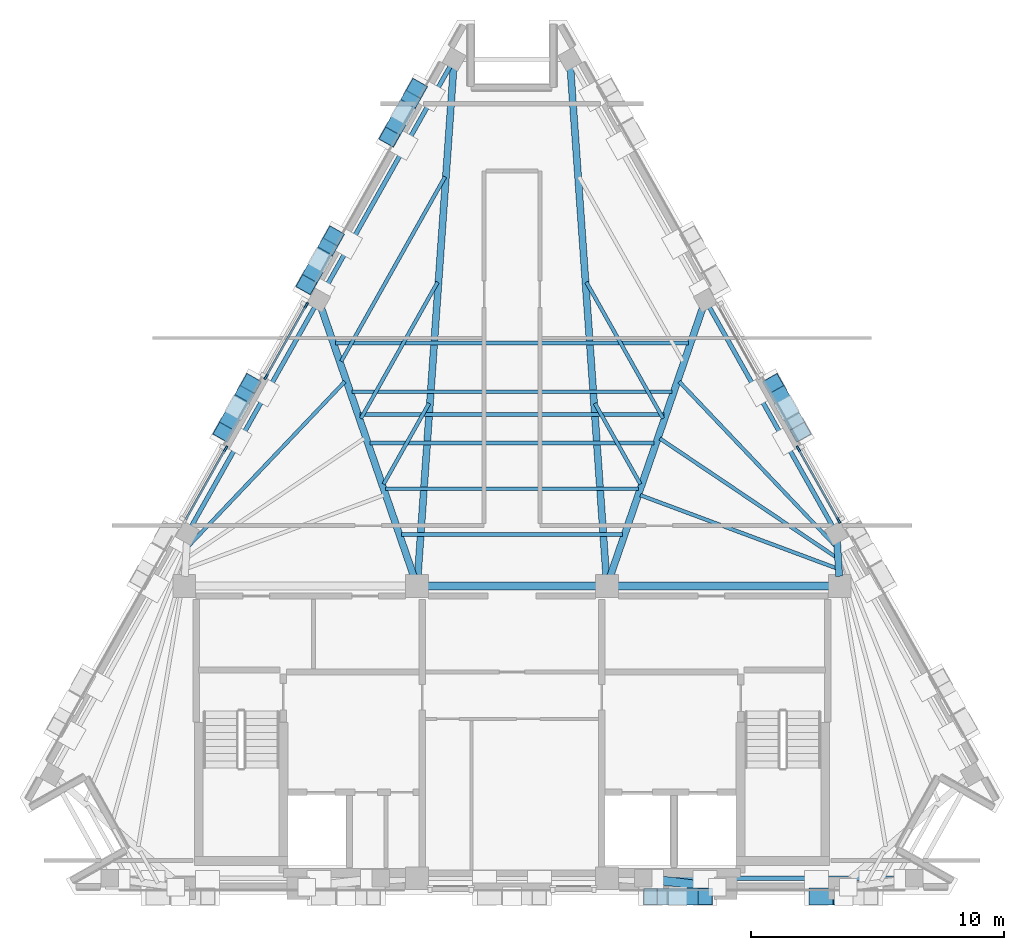
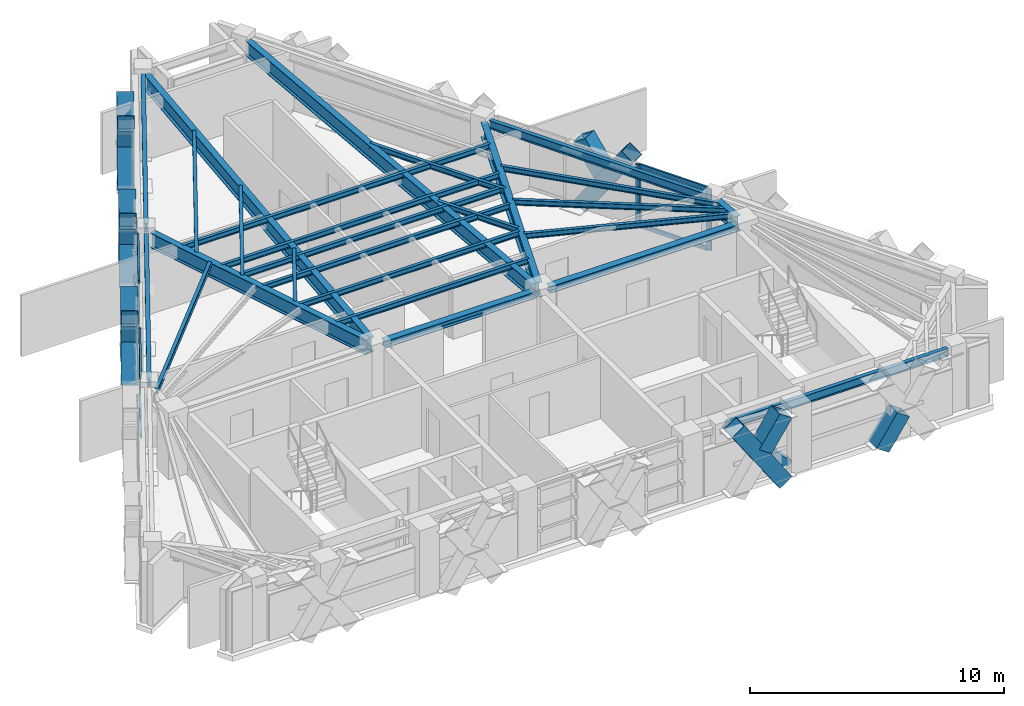
# One storey, part 2 of 8: 26 beams, 26 members, 3 elements without a shape of their own.
"""IFC4 building model written with IfcOpenShell, lengths in metres."""

from ifc_helpers import new_model, si_unit, direction, frame, origin, origin_2d, place, context, subcontext, project, spatial, rectangle, hollow_rectangle, i_section, extrude, material, material_profile, profile_set, type_object, element, aggregate, save


model = new_model("IFC4")

# Units and contexts
model_context = context("Model", 3, precision=1e-05, world=origin(), true_north=direction((0.0, 1.0)))
body_context = subcontext(model_context, "Body", "Model", "MODEL_VIEW")
ifc_project = project(units=[si_unit("LENGTHUNIT", "METRE"), si_unit("AREAUNIT", "SQUARE_METRE"), si_unit("VOLUMEUNIT", "CUBIC_METRE"), si_unit("PLANEANGLEUNIT", "RADIAN"), si_unit("MASSUNIT", "GRAM", prefix="KILO")], contexts=[model_context])

# Site, building, storey
site_placement = place(None, origin())
site = spatial("IfcSite", under=ifc_project, at=site_placement, CompositionType="ELEMENT")
building_placement = place(site_placement, origin())
building = spatial("IfcBuilding", under=site, at=building_placement, Name="Quenlor Broadcast Tower", CompositionType="ELEMENT")
storey_placement = place(building_placement, frame((0.0, 0.0, 283.699951171875)))
storey = spatial("IfcBuildingStorey", under=building, at=storey_placement, Name="L79", CompositionType="ELEMENT", Elevation=283.699951171875)

# Curtain wall, members
ifc_material_1 = material(Name="Architectural Terracotta and Low-E Glazing", Category="masonry")
curtain_wall_type = type_object("IfcCurtainWallType", Name="Station Concourse and Crown Terracotta Curtain Wall", PredefinedType="NOTDEFINED", material=ifc_material_1)
curtain_wall_1_placement = place(storey_placement, origin())
curtain_wall_1 = element("IfcCurtainWall", 1, at=curtain_wall_1_placement, inside=storey, type_object=curtain_wall_type, Name="L79 Curtain Wall CW6 (L79-NE-G2)", PredefinedType="NOTDEFINED")
ifc_material_2 = material(Name="Aluminium 6063-T6", Category="aluminium")
ifc_material_profile_1 = material_profile(ifc_material_2, rectangle(XDim=0.08203125, YDim=0.239990234375, at=origin_2d()))
ifc_profile_set_1 = profile_set([ifc_material_profile_1], Name="Aluminium 6063-T6 MULL82x240")
member_type_1 = type_object("IfcMemberType", Name="CW6 Aluminium Mullion MULL_CW6", PredefinedType="MULLION", material=ifc_profile_set_1)
member_1_placement = place(storey_placement, frame((11.31640625, 0.618896484375, 0.0), z_axis=(0.0, 0.0, 1.0), x_axis=(0.871571523235, 0.490268375367, 0.0)))
member_1 = element("IfcMember", 2, at=member_1_placement, type_object=member_type_1, Name="CW6 mullion 1", PredefinedType="MULLION", context=body_context, shape_type="SweptSolid", body=[
    extrude(rectangle(XDim=0.08203125, YDim=0.239990234375, at=origin_2d()), origin(), (0.0, 0.0, 1.0), 2.949951171875),
])
member_2_placement = place(storey_placement, frame((12.9072265625, -2.208984375, 0.0), z_axis=(0.0, 0.0, 1.0), x_axis=(0.871571523235, 0.490268375367, 0.0)))
member_2 = element("IfcMember", 3, at=member_2_placement, type_object=member_type_1, Name="CW6 mullion 2", PredefinedType="MULLION", context=body_context, shape_type="SweptSolid", body=[
    extrude(rectangle(XDim=0.08203125, YDim=0.239990234375, at=origin_2d()), origin(), (0.0, 0.0, 1.0), 2.949951171875),
])

# Curtain wall, member
curtain_wall_2_placement = place(storey_placement, origin())
curtain_wall_2 = element("IfcCurtainWall", 4, at=curtain_wall_2_placement, inside=storey, type_object=curtain_wall_type, Name="L79 Curtain Wall CW6 (L79-NW-G1)", PredefinedType="NOTDEFINED")
member_3_placement = place(storey_placement, frame((-11.31640625, 0.618896484375, 0.0), z_axis=(0.0, 0.0, 1.0), x_axis=(-0.871571523235, 0.490268375367, 0.0)))
member_3 = element("IfcMember", 5, at=member_3_placement, type_object=member_type_1, Name="CW6 mullion 2", PredefinedType="MULLION", context=body_context, shape_type="SweptSolid", body=[
    extrude(rectangle(XDim=0.08203125, YDim=0.239990234375, at=origin_2d()), origin(), (0.0, 0.0, 1.0), 2.949951171875),
])

# Curtain wall, members
curtain_wall_3_placement = place(storey_placement, origin())
curtain_wall_3 = element("IfcCurtainWall", 6, at=curtain_wall_3_placement, inside=storey, type_object=curtain_wall_type, Name="L79 Curtain Wall CW6 (L79-NW-G2)", PredefinedType="NOTDEFINED")
member_4_placement = place(storey_placement, frame((-9.717041015625, 3.46240234375, 0.0), z_axis=(0.0, 0.0, 1.0), x_axis=(-0.871571523235, 0.490268375367, 0.0)))
member_4 = element("IfcMember", 7, at=member_4_placement, type_object=member_type_1, Name="CW6 mullion 1", PredefinedType="MULLION", context=body_context, shape_type="SweptSolid", body=[
    extrude(rectangle(XDim=0.08203125, YDim=0.239990234375, at=origin_2d()), origin(), (0.0, 0.0, 1.0), 2.949951171875),
])
member_5_placement = place(storey_placement, frame((-8.126220703125, 6.29052734375, 0.0), z_axis=(0.0, 0.0, 1.0), x_axis=(-0.871571523235, 0.490268375367, 0.0)))
member_5 = element("IfcMember", 8, at=member_5_placement, type_object=member_type_1, Name="CW6 mullion 2", PredefinedType="MULLION", context=body_context, shape_type="SweptSolid", body=[
    extrude(rectangle(XDim=0.08203125, YDim=0.239990234375, at=origin_2d()), origin(), (0.0, 0.0, 1.0), 2.949951171875),
])

# Member
ifc_material_3 = material(Name="Aluminium 6063-T6", Category="aluminium")
ifc_material_profile_2 = material_profile(ifc_material_3, rectangle(XDim=0.08203125, YDim=0.195068359375, at=origin_2d()))
ifc_profile_set_2 = profile_set([ifc_material_profile_2], Name="Aluminium 6063-T6 TRAN82x195")
member_type_2 = type_object("IfcMemberType", Name="CW6 Aluminium Transom TRAN_CW6", PredefinedType="USERDEFINED", material=ifc_profile_set_2)
member_6_placement = place(storey_placement, frame((11.33642578125, 0.583251953125, 0.041015625), z_axis=(0.490308881198, -0.87154873703, 0.0), x_axis=(0.87154873703, 0.490308881198, 0.0)))
member_6 = element("IfcMember", 9, at=member_6_placement, type_object=member_type_2, Name="CW6 transom 1.1", ObjectType="TRANSOM", PredefinedType="USERDEFINED", context=body_context, shape_type="SweptSolid", body=[
    extrude(rectangle(XDim=0.08203125, YDim=0.195068359375, at=origin_2d()), origin(), (0.0, 0.0, 1.0), 3.162841796875),
])

member_7_placement = place(storey_placement, frame((11.33642578125, 0.583251953125, 2.908935546875), z_axis=(0.490308881198, -0.87154873703, 0.0), x_axis=(0.87154873703, 0.490308881198, 0.0)))
member_7 = element("IfcMember", 10, at=member_7_placement, type_object=member_type_2, Name="CW6 transom 1.2", ObjectType="TRANSOM", PredefinedType="USERDEFINED", context=body_context, shape_type="SweptSolid", body=[
    extrude(rectangle(XDim=0.08203125, YDim=0.195068359375, at=origin_2d()), origin(), (0.0, 0.0, 1.0), 3.162841796875),
])

aggregate(curtain_wall_1, [member_1, member_2, member_6, member_7])

member_8_placement = place(storey_placement, frame((-12.88720703125, -2.17333984375, 0.041015625), z_axis=(0.490308881198, 0.87154873703, 0.0), x_axis=(-0.87154873703, 0.490308881198, 0.0)))
member_8 = element("IfcMember", 11, at=member_8_placement, type_object=member_type_2, Name="CW6 transom 1.1", ObjectType="TRANSOM", PredefinedType="USERDEFINED", context=body_context, shape_type="SweptSolid", body=[
    extrude(rectangle(XDim=0.08203125, YDim=0.195068359375, at=origin_2d()), origin(), (0.0, 0.0, 1.0), 3.162841796875),
])

member_9_placement = place(storey_placement, frame((-12.88720703125, -2.17333984375, 2.908935546875), z_axis=(0.490308881198, 0.87154873703, 0.0), x_axis=(-0.87154873703, 0.490308881198, 0.0)))
member_9 = element("IfcMember", 12, at=member_9_placement, type_object=member_type_2, Name="CW6 transom 1.2", ObjectType="TRANSOM", PredefinedType="USERDEFINED", context=body_context, shape_type="SweptSolid", body=[
    extrude(rectangle(XDim=0.08203125, YDim=0.195068359375, at=origin_2d()), origin(), (0.0, 0.0, 1.0), 3.162841796875),
])

aggregate(curtain_wall_2, [member_3, member_8, member_9])

member_10_placement = place(storey_placement, frame((-9.69677734375, 3.498046875, 0.041015625), z_axis=(0.490250244801, 0.871581721626, 0.0), x_axis=(-0.871581721626, 0.490250244801, 0.0)))
member_10 = element("IfcMember", 13, at=member_10_placement, type_object=member_type_2, Name="CW6 transom 1.1", ObjectType="TRANSOM", PredefinedType="USERDEFINED", context=body_context, shape_type="SweptSolid", body=[
    extrude(rectangle(XDim=0.08203125, YDim=0.195068359375, at=origin_2d()), origin(), (0.0, 0.0, 1.0), 3.162841796875),
])

member_11_placement = place(storey_placement, frame((-9.69677734375, 3.498046875, 2.908935546875), z_axis=(0.490250244801, 0.871581721626, 0.0), x_axis=(-0.871581721626, 0.490250244801, 0.0)))
member_11 = element("IfcMember", 14, at=member_11_placement, type_object=member_type_2, Name="CW6 transom 1.2", ObjectType="TRANSOM", PredefinedType="USERDEFINED", context=body_context, shape_type="SweptSolid", body=[
    extrude(rectangle(XDim=0.08203125, YDim=0.195068359375, at=origin_2d()), origin(), (0.0, 0.0, 1.0), 3.162841796875),
])

aggregate(curtain_wall_3, [member_4, member_5, member_10, member_11])

# Beams
ifc_material_4 = material(Name="Steel S355", Category="steel")
ifc_material_profile_3 = material_profile(ifc_material_4, i_section(OverallWidth=0.304931640625, OverallDepth=0.30810546875, WebThickness=0.010009765625, FlangeThickness=0.015380859375, FilletRadius=0.0166015625, at=origin_2d()))
ifc_profile_set_3 = profile_set([ifc_material_profile_3], Name="Steel S355 310UC96.8")
beam_type_1 = type_object("IfcBeamType", Name="Core Header Beam Steel S355 310UC96.8", PredefinedType="BEAM", material=ifc_profile_set_3)
beam_1_placement = place(storey_placement, frame((-3.389892578125, -4.800048828125, 2.796142578125), z_axis=(1.0, 0.0, 0.0), x_axis=(0.0, 1.0, 0.0)))
element("IfcBeam", 15, at=beam_1_placement, inside=storey, type_object=beam_type_1, Name="L79 Core Header Beam 2", PredefinedType="BEAM", context=body_context, shape_type="SweptSolid", body=[
    extrude(i_section(OverallWidth=0.304931640625, OverallDepth=0.30810546875, WebThickness=0.010009765625, FlangeThickness=0.015380859375, FilletRadius=0.0166015625, at=origin_2d()), origin(), (0.0, 0.0, 1.0), 6.77978515625),
])
ifc_material_5 = material(Name="Steel S355", Category="steel")
ifc_material_profile_4 = material_profile(ifc_material_5, i_section(OverallWidth=0.306884765625, OverallDepth=0.314697265625, WebThickness=0.011962890625, FlangeThickness=0.018798828125, FilletRadius=0.0166015625, at=origin_2d()))
ifc_profile_set_4 = profile_set([ifc_material_profile_4], Name="Steel S355 310UC118")
beam_type_2 = type_object("IfcBeamType", Name="Core Tie Beam Steel S355 310UC118", PredefinedType="BEAM", material=ifc_profile_set_4)
beam_2_placement = place(storey_placement, frame((4.110107421875, -4.800048828125, 2.792724609375), z_axis=(1.0, 0.0, 0.0), x_axis=(0.0, 1.0, 0.0)))
element("IfcBeam", 16, at=beam_2_placement, inside=storey, type_object=beam_type_2, Name="L79 Core Tie Beam 3", PredefinedType="BEAM", context=body_context, shape_type="SweptSolid", body=[
    extrude(i_section(OverallWidth=0.306884765625, OverallDepth=0.314697265625, WebThickness=0.011962890625, FlangeThickness=0.018798828125, FilletRadius=0.0166015625, at=origin_2d()), origin(), (0.0, 0.0, 1.0), 8.47998046875),
])
ifc_material_6 = material(Name="Steel S355", Category="steel")
ifc_material_profile_5 = material_profile(ifc_material_6, i_section(OverallWidth=0.14599609375, OverallDepth=0.256103515625, WebThickness=0.00634765625, FlangeThickness=0.010986328125, FilletRadius=0.0087890625, at=origin_2d()))
ifc_profile_set_5 = profile_set([ifc_material_profile_5], Name="Steel S355 250UB37.3")
beam_type_3 = type_object("IfcBeamType", Name="Crown Deck Joist Steel S355 250UB37.3", PredefinedType="JOIST", material=ifc_profile_set_5)
beam_3_placement = place(storey_placement, frame((-4.37060546875, -2.767822265625, 2.822021484375), z_axis=(1.0, 0.0, 0.0), x_axis=(0.0, 1.0, 0.0)))
element("IfcBeam", 17, at=beam_3_placement, inside=storey, type_object=beam_type_3, Name="L79 Secondary Composite Joist 1", PredefinedType="JOIST", context=body_context, shape_type="SweptSolid", body=[
    extrude(i_section(OverallWidth=0.14599609375, OverallDepth=0.256103515625, WebThickness=0.00634765625, FlangeThickness=0.010986328125, FilletRadius=0.0087890625, at=origin_2d()), origin(), (0.0, 0.0, 1.0), 8.7412109375),
])
beam_4_placement = place(storey_placement, frame((-6.0048828125, 1.9736328125, 2.822021484375), z_axis=(1.0, 0.0, 0.0), x_axis=(0.0, 1.0, 0.0)))
element("IfcBeam", 18, at=beam_4_placement, inside=storey, type_object=beam_type_3, Name="L79 Secondary Composite Joist 2", PredefinedType="JOIST", context=body_context, shape_type="SweptSolid", body=[
    extrude(i_section(OverallWidth=0.14599609375, OverallDepth=0.256103515625, WebThickness=0.00634765625, FlangeThickness=0.010986328125, FilletRadius=0.0087890625, at=origin_2d()), origin(), (0.0, 0.0, 1.0), 12.009765625),
])
beam_5_placement = place(storey_placement, frame((-4.9931640625, -0.961669921875, 2.822021484375), z_axis=(1.0, 0.0, 0.0), x_axis=(0.0, 1.0, 0.0)))
element("IfcBeam", 19, at=beam_5_placement, inside=storey, type_object=beam_type_3, Name="L79 Secondary Composite Joist 3", PredefinedType="JOIST", context=body_context, shape_type="SweptSolid", body=[
    extrude(i_section(OverallWidth=0.14599609375, OverallDepth=0.256103515625, WebThickness=0.00634765625, FlangeThickness=0.010986328125, FilletRadius=0.0087890625, at=origin_2d()), origin(), (0.0, 0.0, 1.0), 9.986328125),
])
beam_6_placement = place(storey_placement, frame((-5.61572265625, 0.8447265625, 2.822021484375), z_axis=(1.0, 0.0, 0.0), x_axis=(0.0, 1.0, 0.0)))
element("IfcBeam", 20, at=beam_6_placement, inside=storey, type_object=beam_type_3, Name="L79 Secondary Composite Joist 4", PredefinedType="JOIST", context=body_context, shape_type="SweptSolid", body=[
    extrude(i_section(OverallWidth=0.14599609375, OverallDepth=0.256103515625, WebThickness=0.00634765625, FlangeThickness=0.010986328125, FilletRadius=0.0087890625, at=origin_2d()), origin(), (0.0, 0.0, 1.0), 11.2314453125),
])
beam_7_placement = place(storey_placement, frame((-6.316162109375, 2.876708984375, 2.822021484375), z_axis=(1.0, 0.0, 0.0), x_axis=(0.0, 1.0, 0.0)))
element("IfcBeam", 21, at=beam_7_placement, inside=storey, type_object=beam_type_3, Name="L79 Secondary Composite Joist 5", PredefinedType="JOIST", context=body_context, shape_type="SweptSolid", body=[
    extrude(i_section(OverallWidth=0.14599609375, OverallDepth=0.256103515625, WebThickness=0.00634765625, FlangeThickness=0.010986328125, FilletRadius=0.0087890625, at=origin_2d()), origin(), (0.0, 0.0, 1.0), 12.63232421875),
])
beam_8_placement = place(storey_placement, frame((-6.977783203125, 4.7958984375, 2.822021484375), z_axis=(1.0, 0.0, 0.0), x_axis=(0.0, 1.0, 0.0)))
element("IfcBeam", 22, at=beam_8_placement, inside=storey, type_object=beam_type_3, Name="L79 Secondary Composite Joist 6", PredefinedType="JOIST", context=body_context, shape_type="SweptSolid", body=[
    extrude(i_section(OverallWidth=0.14599609375, OverallDepth=0.256103515625, WebThickness=0.00634765625, FlangeThickness=0.010986328125, FilletRadius=0.0087890625, at=origin_2d()), origin(), (0.0, 0.0, 1.0), 13.95556640625),
])
beam_9_placement = place(storey_placement, frame((-12.80517578125, -3.249267578125, 2.822021484375), z_axis=(0.689023306429, 0.724739182877, 0.0), x_axis=(-0.724739182877, 0.689023306429, 0.0)))
element("IfcBeam", 23, at=beam_9_placement, inside=storey, type_object=beam_type_3, Name="L79 Secondary Composite Joist 9", PredefinedType="JOIST", context=body_context, shape_type="SweptSolid", body=[
    extrude(i_section(OverallWidth=0.14599609375, OverallDepth=0.256103515625, WebThickness=0.00634765625, FlangeThickness=0.010986328125, FilletRadius=0.0087890625, at=origin_2d()), origin(), (0.0, 0.0, 1.0), 8.99560546875),
])
beam_10_placement = place(storey_placement, frame((12.835205078125, -4.108642578125, 2.822021484375), z_axis=(-0.937062080226, 0.349162795559, 0.0), x_axis=(-0.349162795559, -0.937062080226, 0.0)))
element("IfcBeam", 24, at=beam_10_placement, inside=storey, type_object=beam_type_3, Name="L79 Secondary Composite Joist 10", PredefinedType="JOIST", context=body_context, shape_type="SweptSolid", body=[
    extrude(i_section(OverallWidth=0.14599609375, OverallDepth=0.256103515625, WebThickness=0.00634765625, FlangeThickness=0.010986328125, FilletRadius=0.0087890625, at=origin_2d()), origin(), (0.0, 0.0, 1.0), 8.286376953125),
])
beam_11_placement = place(storey_placement, frame((12.81884765625, -3.67724609375, 2.822021484375), z_axis=(-0.829286301475, 0.558823970661, 0.0), x_axis=(-0.558823970661, -0.829286301475, 0.0)))
element("IfcBeam", 25, at=beam_11_placement, inside=storey, type_object=beam_type_3, Name="L79 Secondary Composite Joist 11", PredefinedType="JOIST", context=body_context, shape_type="SweptSolid", body=[
    extrude(i_section(OverallWidth=0.14599609375, OverallDepth=0.256103515625, WebThickness=0.00634765625, FlangeThickness=0.010986328125, FilletRadius=0.0087890625, at=origin_2d()), origin(), (0.0, 0.0, 1.0), 8.415771484375),
])
beam_12_placement = place(storey_placement, frame((12.80517578125, -3.249267578125, 2.822021484375), z_axis=(-0.689023306429, 0.724739182877, 0.0), x_axis=(-0.724739182877, -0.689023306429, 0.0)))
element("IfcBeam", 26, at=beam_12_placement, inside=storey, type_object=beam_type_3, Name="L79 Secondary Composite Joist 12", PredefinedType="JOIST", context=body_context, shape_type="SweptSolid", body=[
    extrude(i_section(OverallWidth=0.14599609375, OverallDepth=0.256103515625, WebThickness=0.00634765625, FlangeThickness=0.010986328125, FilletRadius=0.0087890625, at=origin_2d()), origin(), (0.0, 0.0, 1.0), 8.99560546875),
])
beam_13_placement = place(storey_placement, frame((-3.2763671875, 2.41455078125, 2.822021484375), z_axis=(-0.490258076222, -0.871577316535, 0.0), x_axis=(0.871577316535, -0.490258076222, 0.0)))
element("IfcBeam", 27, at=beam_13_placement, inside=storey, type_object=beam_type_3, Name="L79 Secondary Composite Joist 25", PredefinedType="JOIST", context=body_context, shape_type="SweptSolid", body=[
    extrude(i_section(OverallWidth=0.14599609375, OverallDepth=0.256103515625, WebThickness=0.00634765625, FlangeThickness=0.010986328125, FilletRadius=0.0087890625, at=origin_2d()), origin(), (0.0, 0.0, 1.0), 3.6640625),
])
beam_14_placement = place(storey_placement, frame((-2.939208984375, 7.201416015625, 2.822021484375), z_axis=(-0.490266868828, -0.871572370678, 0.0), x_axis=(0.871572370678, -0.490266868828, 0.0)))
element("IfcBeam", 28, at=beam_14_placement, inside=storey, type_object=beam_type_3, Name="L79 Secondary Composite Joist 26", PredefinedType="JOIST", context=body_context, shape_type="SweptSolid", body=[
    extrude(i_section(OverallWidth=0.14599609375, OverallDepth=0.256103515625, WebThickness=0.00634765625, FlangeThickness=0.010986328125, FilletRadius=0.0087890625, at=origin_2d()), origin(), (0.0, 0.0, 1.0), 6.177490234375),
])
beam_15_placement = place(storey_placement, frame((-2.646240234375, 11.364013671875, 2.822021484375), z_axis=(-0.490264011812, -0.871573977768, 0.0), x_axis=(0.871573977768, -0.490264011812, 0.0)))
element("IfcBeam", 29, at=beam_15_placement, inside=storey, type_object=beam_type_3, Name="L79 Secondary Composite Joist 27", PredefinedType="JOIST", context=body_context, shape_type="SweptSolid", body=[
    extrude(i_section(OverallWidth=0.14599609375, OverallDepth=0.256103515625, WebThickness=0.00634765625, FlangeThickness=0.010986328125, FilletRadius=0.0087890625, at=origin_2d()), origin(), (0.0, 0.0, 1.0), 8.362548828125),
])
beam_16_placement = place(storey_placement, frame((3.2763671875, 2.41455078125, 2.822021484375), z_axis=(0.490258076222, -0.871577316535, 0.0), x_axis=(0.871577316535, 0.490258076222, 0.0)))
element("IfcBeam", 30, at=beam_16_placement, inside=storey, type_object=beam_type_3, Name="L79 Secondary Composite Joist 28", PredefinedType="JOIST", context=body_context, shape_type="SweptSolid", body=[
    extrude(i_section(OverallWidth=0.14599609375, OverallDepth=0.256103515625, WebThickness=0.00634765625, FlangeThickness=0.010986328125, FilletRadius=0.0087890625, at=origin_2d()), origin(), (0.0, 0.0, 1.0), 3.6640625),
])
beam_17_placement = place(storey_placement, frame((2.939208984375, 7.201416015625, 2.822021484375), z_axis=(0.490266868828, -0.871572370678, 0.0), x_axis=(0.871572370678, 0.490266868828, 0.0)))
element("IfcBeam", 31, at=beam_17_placement, inside=storey, type_object=beam_type_3, Name="L79 Secondary Composite Joist 29", PredefinedType="JOIST", context=body_context, shape_type="SweptSolid", body=[
    extrude(i_section(OverallWidth=0.14599609375, OverallDepth=0.256103515625, WebThickness=0.00634765625, FlangeThickness=0.010986328125, FilletRadius=0.0087890625, at=origin_2d()), origin(), (0.0, 0.0, 1.0), 6.177490234375),
])
ifc_material_7 = material(Name="Steel S355", Category="steel")
ifc_material_profile_6 = material_profile(ifc_material_7, i_section(OverallWidth=0.27490234375, OverallDepth=0.716064453125, WebThickness=0.013916015625, FlangeThickness=0.02490234375, FilletRadius=0.013916015625, at=origin_2d()))
ifc_profile_set_6 = profile_set([ifc_material_profile_6], Name="Steel S355 700WB173")
beam_type_4 = type_object("IfcBeamType", Name="Crown Plant Ring Girder Steel S355 700WB173", PredefinedType="BEAM", material=ifc_profile_set_6)
beam_18_placement = place(storey_placement, frame((12.843994140625, -3.0361328125, 2.592041015625), z_axis=(0.060022076178, -0.998197049871, 0.0), x_axis=(0.998197049871, 0.060022076178, 0.0)))
element("IfcBeam", 32, at=beam_18_placement, inside=storey, type_object=beam_type_4, Name="L79 Primary Radial Beam NE2", PredefinedType="BEAM", context=body_context, shape_type="SweptSolid", body=[
    extrude(i_section(OverallWidth=0.27490234375, OverallDepth=0.716064453125, WebThickness=0.013916015625, FlangeThickness=0.02490234375, FilletRadius=0.013916015625, at=origin_2d()), origin(), (0.0, 0.0, 1.0), 1.386962890625),
])
beam_19_placement = place(storey_placement, frame((7.54052734375, 6.1962890625, 2.592041015625), z_axis=(-0.325897728726, -0.945405029821, 0.0), x_axis=(0.945405029821, -0.325897728726, 0.0)))
element("IfcBeam", 33, at=beam_19_placement, inside=storey, type_object=beam_type_4, Name="L79 Primary Radial Beam NE3", PredefinedType="BEAM", context=body_context, shape_type="SweptSolid", body=[
    extrude(i_section(OverallWidth=0.27490234375, OverallDepth=0.716064453125, WebThickness=0.013916015625, FlangeThickness=0.02490234375, FilletRadius=0.013916015625, at=origin_2d()), origin(), (0.0, 0.0, 1.0), 11.251220703125),
])
for number, where, z_axis, x_axis, name in (
    (34, (2.306396484375, 15.703369140625, 2.592041015625), (0.070238211714, -0.997530246968, 0.0), (0.997530246968, 0.070238211714, 0.0), "L79 Primary Radial Beam NE4"),
    (35, (-2.306396484375, 15.703369140625, 2.592041015625), (-0.070238211714, -0.997530246968, 0.0), (0.997530246968, -0.070238211714, 0.0), "L79 Primary Radial Beam NW1"),
):
    element("IfcBeam", number, at=place(storey_placement, frame(where, z_axis=z_axis, x_axis=x_axis)), inside=storey, type_object=beam_type_4, Name=name, PredefinedType="BEAM", context=body_context, shape_type="SweptSolid", body=[
        extrude(i_section(OverallWidth=0.27490234375, OverallDepth=0.716064453125, WebThickness=0.013916015625, FlangeThickness=0.02490234375, FilletRadius=0.013916015625, at=origin_2d()), origin(), (0.0, 0.0, 1.0), 20.174072265625),
    ])
beam_20_placement = place(storey_placement, frame((-7.54052734375, 6.1962890625, 2.592041015625), z_axis=(0.325897728726, -0.945405029821, 0.0), x_axis=(0.945405029821, 0.325897728726, 0.0)))
element("IfcBeam", 36, at=beam_20_placement, inside=storey, type_object=beam_type_4, Name="L79 Primary Radial Beam NW2", PredefinedType="BEAM", context=body_context, shape_type="SweptSolid", body=[
    extrude(i_section(OverallWidth=0.27490234375, OverallDepth=0.716064453125, WebThickness=0.013916015625, FlangeThickness=0.02490234375, FilletRadius=0.013916015625, at=origin_2d()), origin(), (0.0, 0.0, 1.0), 11.251220703125),
])

# Members
ifc_material_8 = material(Name="Steel S355", Category="steel")
ifc_material_profile_7 = material_profile(ifc_material_8, hollow_rectangle(XDim=0.35009765625, YDim=0.35009765625, WallThickness=0.02001953125, at=origin_2d()))
ifc_profile_set_7 = profile_set([ifc_material_profile_7], Name="Steel S355 RHS350x350x20")
member_type_3 = type_object("IfcMemberType", Name="Crown Sloped Raking Chord Steel S355 RHS350x20", PredefinedType="CHORD", material=ifc_profile_set_7)
member_12_placement = place(storey_placement, frame((8.112548828125, -16.708740234375, 0.25), z_axis=(-0.72220052685, 0.08846855154, 0.686002707288), x_axis=(-0.12158971239, -0.99258044603, 0.0)))
element("IfcMember", 37, at=member_12_placement, inside=storey, type_object=member_type_3, Name="L79 Crown Plant Bracing Chord 4", PredefinedType="CHORD", context=body_context, shape_type="SweptSolid", body=[
    extrude(hollow_rectangle(XDim=0.35009765625, YDim=0.35009765625, WallThickness=0.02001953125, at=origin_2d()), origin(), (0.0, 0.0, 1.0), 3.615234375),
])
ifc_material_9 = material(Name="Steel S355", Category="steel")
ifc_material_profile_8 = material_profile(ifc_material_9, hollow_rectangle(XDim=0.679931640625, YDim=0.679931640625, WallThickness=0.02001953125, at=origin_2d()))
ifc_profile_set_8 = profile_set([ifc_material_profile_8], Name="Steel S355 RHS680x680x20")
member_type_4 = type_object("IfcMemberType", Name="Perimeter Diagonal Lattice Brace Z5-Crown Steel S355 RHS680x20", PredefinedType="BRACE", material=ifc_profile_set_8)
member_13_placement = place(storey_placement, frame((12.025146484375, -17.070068359375, -0.119873046875), z_axis=(0.559053368551, 0.0, 0.829131672963), x_axis=(0.0, 1.0, 0.0)))
element("IfcMember", 38, at=member_13_placement, inside=storey, type_object=member_type_4, Name="L79 Perimeter Diamond Lattice S-C1XB1", PredefinedType="BRACE", context=body_context, shape_type="SweptSolid", body=[
    extrude(hollow_rectangle(XDim=0.679931640625, YDim=0.679931640625, WallThickness=0.02001953125, at=origin_2d()), origin(), (0.0, 0.0, 1.0), 1.679443359375),
])
member_14_placement = place(storey_placement, frame((7.630859375, -17.070068359375, -0.119873046875), z_axis=(-0.559071894658, 0.0, 0.829119181182), x_axis=(0.0, -1.0, 0.0)))
element("IfcMember", 39, at=member_14_placement, inside=storey, type_object=member_type_4, Name="L79 Perimeter Diamond Lattice S-C2XA", PredefinedType="BRACE", context=body_context, shape_type="SweptSolid", body=[
    extrude(hollow_rectangle(XDim=0.679931640625, YDim=0.679931640625, WallThickness=0.02001953125, at=origin_2d()), origin(), (0.0, 0.0, 1.0), 3.859375),
])
member_15_placement = place(storey_placement, frame((6.69189453125, -17.070068359375, 1.687255859375), z_axis=(0.558985996415, 0.0, 0.829177095566), x_axis=(0.0, 1.0, 0.0)))
element("IfcMember", 40, at=member_15_placement, inside=storey, type_object=member_type_4, Name="L79 Perimeter Diamond Lattice S-C2XB2", PredefinedType="BRACE", context=body_context, shape_type="SweptSolid", body=[
    extrude(hollow_rectangle(XDim=0.679931640625, YDim=0.679931640625, WallThickness=0.02001953125, at=origin_2d()), origin(), (0.0, 0.0, 1.0), 1.6796875),
])
member_16_placement = place(storey_placement, frame((10.32080078125, 3.1943359375, -0.119873046875), z_axis=(0.278020388647, -0.494202607668, 0.823691960669), x_axis=(0.87155185771, 0.490303333991, 0.0)))
element("IfcMember", 41, at=member_16_placement, inside=storey, type_object=member_type_4, Name="L79 Perimeter Diamond Lattice NE-C3XA", PredefinedType="BRACE", context=body_context, shape_type="SweptSolid", body=[
    extrude(hollow_rectangle(XDim=0.679931640625, YDim=0.679931640625, WallThickness=0.02001953125, at=origin_2d()), origin(), (0.0, 0.0, 1.0), 3.885009765625),
])
member_17_placement = place(storey_placement, frame((10.79150390625, 2.35791015625, 1.68603515625), z_axis=(-0.278112653694, 0.494198107654, 0.823663512757), x_axis=(-0.871480414068, -0.490430308909, 0.0)))
element("IfcMember", 42, at=member_17_placement, inside=storey, type_object=member_type_4, Name="L79 Perimeter Diamond Lattice NE-C3XB2", PredefinedType="BRACE", context=body_context, shape_type="SweptSolid", body=[
    extrude(hollow_rectangle(XDim=0.679931640625, YDim=0.679931640625, WallThickness=0.02001953125, at=origin_2d()), origin(), (0.0, 0.0, 1.0), 1.6923828125),
])
member_18_placement = place(storey_placement, frame((-11.40087890625, 1.2744140625, -0.119873046875), z_axis=(0.278020388647, 0.494202607668, 0.823691960669), x_axis=(-0.87155185771, 0.490303333991, 0.0)))
element("IfcMember", 43, at=member_18_placement, inside=storey, type_object=member_type_4, Name="L79 Perimeter Diamond Lattice NW-C3XA", PredefinedType="BRACE", context=body_context, shape_type="SweptSolid", body=[
    extrude(hollow_rectangle(XDim=0.679931640625, YDim=0.679931640625, WallThickness=0.02001953125, at=origin_2d()), origin(), (0.0, 0.0, 1.0), 3.885009765625),
])
for number, where, z_axis, x_axis, name in (
    (44, (-10.32080078125, 3.1943359375, -0.119873046875), (-0.278112653694, -0.494198107654, 0.823663512757), (0.871480414068, -0.490430308909, 0.0), "L79 Perimeter Diamond Lattice NW-C3XB1"),
    (45, (-10.930419921875, 2.11083984375, 1.68603515625), (-0.277979553584, -0.494217929725, 0.823696549542), (0.87158912515, -0.49023708236, 0.0), "L79 Perimeter Diamond Lattice NW-C3XB2"),
):
    element("IfcMember", number, at=place(storey_placement, frame(where, z_axis=z_axis, x_axis=x_axis)), inside=storey, type_object=member_type_4, Name=name, PredefinedType="BRACE", context=body_context, shape_type="SweptSolid", body=[
        extrude(hollow_rectangle(XDim=0.679931640625, YDim=0.679931640625, WallThickness=0.02001953125, at=origin_2d()), origin(), (0.0, 0.0, 1.0), 1.6923828125),
    ])
member_19_placement = place(storey_placement, frame((-8.12158203125, 7.1044921875, -0.119873046875), z_axis=(0.278011753881, 0.494250100424, 0.823666378417), x_axis=(-0.871578496623, 0.490255978266, 0.0)))
element("IfcMember", 46, at=member_19_placement, inside=storey, type_object=member_type_4, Name="L79 Perimeter Diamond Lattice NW-C4XA", PredefinedType="BRACE", context=body_context, shape_type="SweptSolid", body=[
    extrude(hollow_rectangle(XDim=0.679931640625, YDim=0.679931640625, WallThickness=0.02001953125, at=origin_2d()), origin(), (0.0, 0.0, 1.0), 3.885009765625),
])
member_20_placement = place(storey_placement, frame((-7.04150390625, 9.024658203125, -0.119873046875), z_axis=(-0.27795973469, -0.494326938653, 0.823637823083), x_axis=(0.871650246414, -0.490128399428, 0.0)))
element("IfcMember", 47, at=member_20_placement, inside=storey, type_object=member_type_4, Name="L79 Perimeter Diamond Lattice NW-C4XB1", PredefinedType="BRACE", context=body_context, shape_type="SweptSolid", body=[
    extrude(hollow_rectangle(XDim=0.679931640625, YDim=0.679931640625, WallThickness=0.02001953125, at=origin_2d()), origin(), (0.0, 0.0, 1.0), 1.692626953125),
])
member_21_placement = place(storey_placement, frame((-7.65087890625, 7.94091796875, 1.68603515625), z_axis=(-0.278112653694, -0.494198107654, 0.823663512757), x_axis=(0.871480414068, -0.490430308909, 0.0)))
element("IfcMember", 48, at=member_21_placement, inside=storey, type_object=member_type_4, Name="L79 Perimeter Diamond Lattice NW-C4XB2", PredefinedType="BRACE", context=body_context, shape_type="SweptSolid", body=[
    extrude(hollow_rectangle(XDim=0.679931640625, YDim=0.679931640625, WallThickness=0.02001953125, at=origin_2d()), origin(), (0.0, 0.0, 1.0), 1.6923828125),
])
member_22_placement = place(storey_placement, frame((-4.842041015625, 12.934814453125, -0.119873046875), z_axis=(0.278011753881, 0.494250100424, 0.823666378417), x_axis=(-0.871578496623, 0.490255978266, 0.0)))
element("IfcMember", 49, at=member_22_placement, inside=storey, type_object=member_type_4, Name="L79 Perimeter Diamond Lattice NW-C5XA", PredefinedType="BRACE", context=body_context, shape_type="SweptSolid", body=[
    extrude(hollow_rectangle(XDim=0.679931640625, YDim=0.679931640625, WallThickness=0.02001953125, at=origin_2d()), origin(), (0.0, 0.0, 1.0), 3.885009765625),
])
member_23_placement = place(storey_placement, frame((-3.761962890625, 14.85498046875, -0.119873046875), z_axis=(-0.27795973469, -0.494326938653, 0.823637823083), x_axis=(0.871650246414, -0.490128399428, 0.0)))
element("IfcMember", 50, at=member_23_placement, inside=storey, type_object=member_type_4, Name="L79 Perimeter Diamond Lattice NW-C5XB1", PredefinedType="BRACE", context=body_context, shape_type="SweptSolid", body=[
    extrude(hollow_rectangle(XDim=0.679931640625, YDim=0.679931640625, WallThickness=0.02001953125, at=origin_2d()), origin(), (0.0, 0.0, 1.0), 1.692626953125),
])
member_24_placement = place(storey_placement, frame((-4.37158203125, 13.771240234375, 1.68603515625), z_axis=(-0.277979553584, -0.494217929725, 0.823696549542), x_axis=(0.87158912515, -0.49023708236, 0.0)))
element("IfcMember", 51, at=member_24_placement, inside=storey, type_object=member_type_4, Name="L79 Perimeter Diamond Lattice NW-C5XB2", PredefinedType="BRACE", context=body_context, shape_type="SweptSolid", body=[
    extrude(hollow_rectangle(XDim=0.679931640625, YDim=0.679931640625, WallThickness=0.02001953125, at=origin_2d()), origin(), (0.0, 0.0, 1.0), 1.6923828125),
])

# Beams
ifc_material_10 = material(Name="Steel S355", Category="steel")
ifc_material_profile_9 = material_profile(ifc_material_10, i_section(OverallWidth=0.177978515625, OverallDepth=0.406494140625, WebThickness=0.0078125, FlangeThickness=0.0126953125, FilletRadius=0.011474609375, at=origin_2d()))
ifc_profile_set_9 = profile_set([ifc_material_profile_9], Name="Steel S355 410UB59.7")
beam_type_5 = type_object("IfcBeamType", Name="Perimeter Spandrel Beam Z5 Steel S355 410UB59.7", PredefinedType="SPANDREL", material=ifc_profile_set_9)
beam_21_placement = place(storey_placement, frame((5.493896484375, -16.35009765625, 2.746826171875), z_axis=(1.0, 0.0, 0.0), x_axis=(0.0, 1.0, 0.0)))
element("IfcBeam", 52, at=beam_21_placement, inside=storey, type_object=beam_type_5, Name="L79 Spandrel Beam S3-S4", PredefinedType="SPANDREL", context=body_context, shape_type="SweptSolid", body=[
    extrude(i_section(OverallWidth=0.177978515625, OverallDepth=0.406494140625, WebThickness=0.0078125, FlangeThickness=0.0126953125, FilletRadius=0.011474609375, at=origin_2d()), origin(), (0.0, 0.0, 1.0), 10.09375),
])
beam_22_placement = place(storey_placement, frame((12.673583984375, -2.45654296875, 2.746826171875), z_axis=(-0.490271720009, 0.87156964183, 0.0), x_axis=(-0.87156964183, -0.490271720009, 0.0)))
element("IfcBeam", 53, at=beam_22_placement, inside=storey, type_object=beam_type_5, Name="L79 Spandrel Beam NE2-NE3", PredefinedType="SPANDREL", context=body_context, shape_type="SweptSolid", body=[
    extrude(i_section(OverallWidth=0.177978515625, OverallDepth=0.406494140625, WebThickness=0.0078125, FlangeThickness=0.0126953125, FilletRadius=0.011474609375, at=origin_2d()), origin(), (0.0, 0.0, 1.0), 9.953857421875),
])
beam_23_placement = place(storey_placement, frame((-2.436767578125, 15.7421875, 2.746826171875), z_axis=(-0.490260114949, -0.871576169758, 0.0), x_axis=(0.871576169758, -0.490260114949, 0.0)))
element("IfcBeam", 54, at=beam_23_placement, inside=storey, type_object=beam_type_5, Name="L79 Spandrel Beam NW1-NW2", PredefinedType="SPANDREL", context=body_context, shape_type="SweptSolid", body=[
    extrude(i_section(OverallWidth=0.177978515625, OverallDepth=0.406494140625, WebThickness=0.0078125, FlangeThickness=0.0126953125, FilletRadius=0.011474609375, at=origin_2d()), origin(), (0.0, 0.0, 1.0), 10.30615234375),
])
beam_24_placement = place(storey_placement, frame((-7.79345703125, 6.218994140625, 2.746826171875), z_axis=(-0.490271720009, -0.87156964183, 0.0), x_axis=(0.87156964183, -0.490271720009, 0.0)))
element("IfcBeam", 55, at=beam_24_placement, inside=storey, type_object=beam_type_5, Name="L79 Spandrel Beam NW2-NW3", PredefinedType="SPANDREL", context=body_context, shape_type="SweptSolid", body=[
    extrude(i_section(OverallWidth=0.177978515625, OverallDepth=0.406494140625, WebThickness=0.0078125, FlangeThickness=0.0126953125, FilletRadius=0.011474609375, at=origin_2d()), origin(), (0.0, 0.0, 1.0), 9.953857421875),
])

save(model, "model.ifc")
